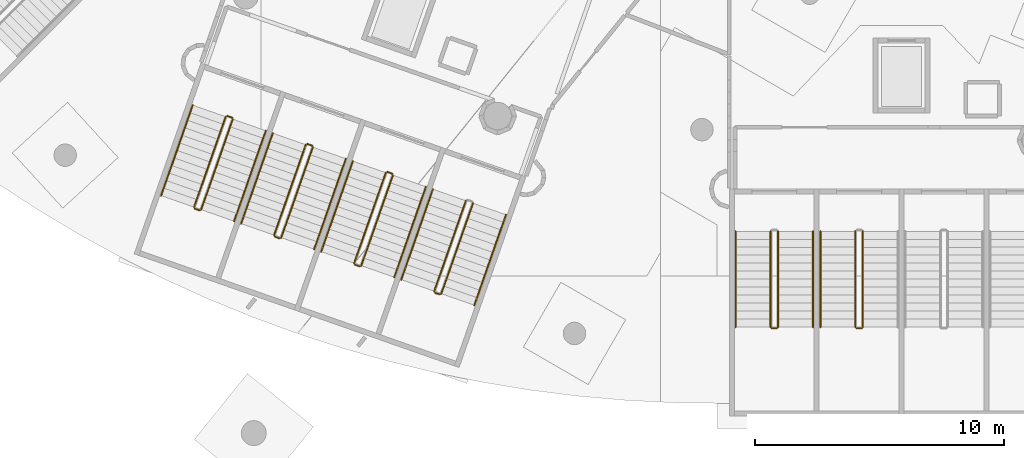
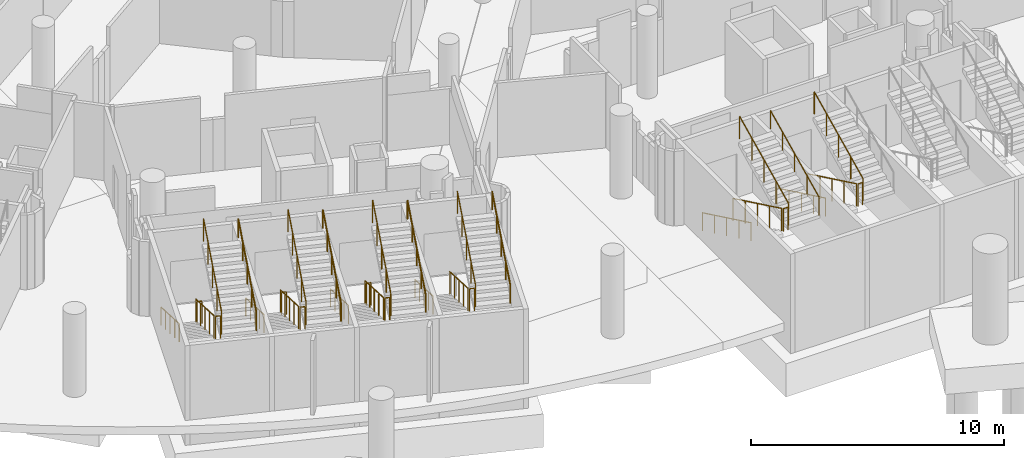
# One storey, part 111 of 142: 32 railings.
"""IFC4 building model written with IfcOpenShell, lengths in metres."""

from ifc_helpers import new_model, si_unit, direction, frame, origin, origin_2d, place, context, subcontext, project, spatial, circle, extrude, material, type_object, element, save


model = new_model("IFC4")

# Units and contexts
model_context = context("Model", 3, precision=1e-05, world=origin(), true_north=direction((0.0, 1.0)))
body_context = subcontext(model_context, "Body", "Model", "MODEL_VIEW")
ifc_project = project(units=[si_unit("LENGTHUNIT", "METRE"), si_unit("AREAUNIT", "SQUARE_METRE"), si_unit("VOLUMEUNIT", "CUBIC_METRE"), si_unit("PLANEANGLEUNIT", "RADIAN"), si_unit("MASSUNIT", "GRAM", prefix="KILO")], contexts=[model_context])

# Site, building, storey
site_placement = place(None, origin())
site = spatial("IfcSite", under=ifc_project, at=site_placement, CompositionType="ELEMENT")
building_placement = place(site_placement, origin())
building = spatial("IfcBuilding", under=site, at=building_placement, Name="Meseta Stadium", CompositionType="ELEMENT")
storey_placement = place(building_placement, frame((0.0, 0.0, -4.0)))
storey = spatial("IfcBuildingStorey", under=building, at=storey_placement, Name="B1", CompositionType="ELEMENT", Elevation=-4.0)

# Railings
ifc_material_1 = material(Name="Steel S355", Category="steel")
railing_type_1 = type_object("IfcRailingType", Name="Stair guard 1100", PredefinedType="GUARDRAIL", material=ifc_material_1)
railing_1_placement = place(storey_placement, frame((-65.421630859375, -89.608154296875, 0.15380859375)))
element("IfcRailing", 1, at=railing_1_placement, inside=storey, type_object=railing_type_1, Name="ST85 B1 guard 1", PredefinedType="GUARDRAIL", context=body_context, shape_type="SweptSolid", body=[
    extrude(circle(Radius=0.02392578125, at=origin_2d()), frame((0.0, 0.0, 1.076171875), z_axis=(-0.29767201574, -0.85067155836, 0.433300439467), x_axis=(0.9438801606, -0.330288120323, 0.0)), (0.0, 0.0, 1.0), 4.2607421875),
    extrude(circle(Radius=0.02099609375, at=origin_2d()), origin(), (0.0, 0.0, 1.0), 1.052001953125),
    extrude(circle(Radius=0.02099609375, at=origin_2d()), frame((-0.317138671875, -0.90625, 0.46142578125)), (0.0, 0.0, 1.0), 1.052001953125),
    extrude(circle(Radius=0.02099609375, at=origin_2d()), frame((-0.63427734375, -1.812255859375, 0.923095703125)), (0.0, 0.0, 1.0), 1.052001953125),
    extrude(circle(Radius=0.02099609375, at=origin_2d()), frame((-0.951171875, -2.71826171875, 1.384765625)), (0.0, 0.0, 1.0), 1.052001953125),
    extrude(circle(Radius=0.02099609375, at=origin_2d()), frame((-1.268310546875, -3.62451171875, 1.84619140625)), (0.0, 0.0, 1.0), 1.052001953125),
])
railing_2_placement = place(storey_placement, frame((-66.6591796875, -93.29638671875, 2.0)))
element("IfcRailing", 2, at=railing_2_placement, inside=storey, type_object=railing_type_1, Name="ST85 B1 guard 2", PredefinedType="GUARDRAIL", context=body_context, shape_type="SweptSolid", body=[
    extrude(circle(Radius=0.02392578125, at=origin_2d()), frame((0.0, 0.0, 1.076171875), z_axis=(0.944067610699, -0.329751946816, 0.0), x_axis=(0.329751946816, 0.944067610699, 0.0)), (0.0, 0.0, 1.0), 0.199951171875),
    extrude(circle(Radius=0.02099609375, at=origin_2d()), origin(), (0.0, 0.0, 1.0), 1.052001953125),
    extrude(circle(Radius=0.02099609375, at=origin_2d()), frame((0.188720703125, -0.06591796875, 0.0)), (0.0, 0.0, 1.0), 1.052001953125),
])
railing_3_placement = place(storey_placement, frame((-66.40673828125, -93.331787109375, 2.15380859375)))
element("IfcRailing", 3, at=railing_3_placement, inside=storey, type_object=railing_type_1, Name="ST85 B1 guard 3", PredefinedType="GUARDRAIL", context=body_context, shape_type="SweptSolid", body=[
    extrude(circle(Radius=0.02392578125, at=origin_2d()), frame((0.0, 0.0, 1.076171875), z_axis=(0.29767201574, 0.85067155836, 0.433300439467), x_axis=(-0.9438801606, 0.330288120323, 0.0)), (0.0, 0.0, 1.0), 4.2607421875),
    extrude(circle(Radius=0.02099609375, at=origin_2d()), origin(), (0.0, 0.0, 1.0), 1.052001953125),
    extrude(circle(Radius=0.02099609375, at=origin_2d()), frame((0.317138671875, 0.90625, 0.46142578125)), (0.0, 0.0, 1.0), 1.052001953125),
    extrude(circle(Radius=0.02099609375, at=origin_2d()), frame((0.63427734375, 1.812255859375, 0.923095703125)), (0.0, 0.0, 1.0), 1.052001953125),
    extrude(circle(Radius=0.02099609375, at=origin_2d()), frame((0.951171875, 2.71826171875, 1.384765625)), (0.0, 0.0, 1.0), 1.052001953125),
    extrude(circle(Radius=0.02099609375, at=origin_2d()), frame((1.268310546875, 3.62451171875, 1.84619140625)), (0.0, 0.0, 1.0), 1.052001953125),
])
railing_4_placement = place(storey_placement, frame((-65.35791015625, -89.577392578125, 0.0)))
element("IfcRailing", 4, at=railing_4_placement, inside=storey, type_object=railing_type_1, Name="ST85 B1 guard 4", PredefinedType="GUARDRAIL", context=body_context, shape_type="SweptSolid", body=[
    extrude(circle(Radius=0.02392578125, at=origin_2d()), frame((0.0, 0.0, 1.076171875), z_axis=(0.943686935281, -0.330839792317, 0.0), x_axis=(0.330839792317, 0.943686935281, 0.0)), (0.0, 0.0, 1.0), 0.199951171875),
    extrude(circle(Radius=0.02099609375, at=origin_2d()), origin(), (0.0, 0.0, 1.0), 1.052001953125),
    extrude(circle(Radius=0.02099609375, at=origin_2d()), frame((0.188720703125, -0.066162109375, 0.0)), (0.0, 0.0, 1.0), 1.052001953125),
])
railing_5_placement = place(storey_placement, frame((-62.21240234375, -90.73095703125, 0.15380859375)))
element("IfcRailing", 5, at=railing_5_placement, inside=storey, type_object=railing_type_1, Name="ST86 B1 guard 1", PredefinedType="GUARDRAIL", context=body_context, shape_type="SweptSolid", body=[
    extrude(circle(Radius=0.02392578125, at=origin_2d()), frame((0.0, 0.0, 1.076171875), z_axis=(-0.29767201574, -0.85067155836, 0.433300439467), x_axis=(0.9438801606, -0.330288120323, 0.0)), (0.0, 0.0, 1.0), 4.2607421875),
    extrude(circle(Radius=0.02099609375, at=origin_2d()), origin(), (0.0, 0.0, 1.0), 1.052001953125),
    extrude(circle(Radius=0.02099609375, at=origin_2d()), frame((-0.317138671875, -0.90625, 0.46142578125)), (0.0, 0.0, 1.0), 1.052001953125),
    extrude(circle(Radius=0.02099609375, at=origin_2d()), frame((-0.63427734375, -1.812255859375, 0.923095703125)), (0.0, 0.0, 1.0), 1.052001953125),
    extrude(circle(Radius=0.02099609375, at=origin_2d()), frame((-0.951171875, -2.71826171875, 1.384765625)), (0.0, 0.0, 1.0), 1.052001953125),
    extrude(circle(Radius=0.02099609375, at=origin_2d()), frame((-1.268310546875, -3.62451171875, 1.84619140625)), (0.0, 0.0, 1.0), 1.052001953125),
])
railing_6_placement = place(storey_placement, frame((-63.449951171875, -94.419189453125, 2.0)))
element("IfcRailing", 6, at=railing_6_placement, inside=storey, type_object=railing_type_1, Name="ST86 B1 guard 2", PredefinedType="GUARDRAIL", context=body_context, shape_type="SweptSolid", body=[
    extrude(circle(Radius=0.02392578125, at=origin_2d()), frame((0.0, 0.0, 1.076171875), z_axis=(0.943686935281, -0.330839792317, 0.0), x_axis=(0.330839792317, 0.943686935281, 0.0)), (0.0, 0.0, 1.0), 0.199951171875),
    extrude(circle(Radius=0.02099609375, at=origin_2d()), origin(), (0.0, 0.0, 1.0), 1.052001953125),
    extrude(circle(Radius=0.02099609375, at=origin_2d()), frame((0.188720703125, -0.066162109375, 0.0)), (0.0, 0.0, 1.0), 1.052001953125),
])
railing_7_placement = place(storey_placement, frame((-63.197509765625, -94.45458984375, 2.15380859375)))
element("IfcRailing", 7, at=railing_7_placement, inside=storey, type_object=railing_type_1, Name="ST86 B1 guard 3", PredefinedType="GUARDRAIL", context=body_context, shape_type="SweptSolid", body=[
    extrude(circle(Radius=0.02392578125, at=origin_2d()), frame((0.0, 0.0, 1.076171875), z_axis=(0.29767201574, 0.85067155836, 0.433300439467), x_axis=(-0.9438801606, 0.330288120323, 0.0)), (0.0, 0.0, 1.0), 4.2607421875),
    extrude(circle(Radius=0.02099609375, at=origin_2d()), origin(), (0.0, 0.0, 1.0), 1.052001953125),
    extrude(circle(Radius=0.02099609375, at=origin_2d()), frame((0.317138671875, 0.90625, 0.46142578125)), (0.0, 0.0, 1.0), 1.052001953125),
    extrude(circle(Radius=0.02099609375, at=origin_2d()), frame((0.63427734375, 1.812255859375, 0.923095703125)), (0.0, 0.0, 1.0), 1.052001953125),
    extrude(circle(Radius=0.02099609375, at=origin_2d()), frame((0.951171875, 2.71826171875, 1.384765625)), (0.0, 0.0, 1.0), 1.052001953125),
    extrude(circle(Radius=0.02099609375, at=origin_2d()), frame((1.268310546875, 3.62451171875, 1.84619140625)), (0.0, 0.0, 1.0), 1.052001953125),
])
railing_8_placement = place(storey_placement, frame((-62.148681640625, -90.700439453125, 0.0)))
element("IfcRailing", 8, at=railing_8_placement, inside=storey, type_object=railing_type_1, Name="ST86 B1 guard 4", PredefinedType="GUARDRAIL", context=body_context, shape_type="SweptSolid", body=[
    extrude(circle(Radius=0.02392578125, at=origin_2d()), frame((0.0, 0.0, 1.076171875), z_axis=(0.944067610699, -0.329751946816, 0.0), x_axis=(0.329751946816, 0.944067610699, 0.0)), (0.0, 0.0, 1.0), 0.199951171875),
    extrude(circle(Radius=0.02099609375, at=origin_2d()), origin(), (0.0, 0.0, 1.0), 1.052001953125),
    extrude(circle(Radius=0.02099609375, at=origin_2d()), frame((0.188720703125, -0.06591796875, 0.0)), (0.0, 0.0, 1.0), 1.052001953125),
])
railing_9_placement = place(storey_placement, frame((-59.003173828125, -91.85400390625, 0.15380859375)))
element("IfcRailing", 9, at=railing_9_placement, inside=storey, type_object=railing_type_1, Name="ST87 B1 guard 1", PredefinedType="GUARDRAIL", context=body_context, shape_type="SweptSolid", body=[
    extrude(circle(Radius=0.02392578125, at=origin_2d()), frame((0.0, 0.0, 1.076171875), z_axis=(-0.29767201574, -0.85067155836, 0.433300439467), x_axis=(0.9438801606, -0.330288120323, 0.0)), (0.0, 0.0, 1.0), 4.2607421875),
    extrude(circle(Radius=0.02099609375, at=origin_2d()), origin(), (0.0, 0.0, 1.0), 1.052001953125),
    extrude(circle(Radius=0.02099609375, at=origin_2d()), frame((-0.317138671875, -0.90625, 0.46142578125)), (0.0, 0.0, 1.0), 1.052001953125),
    extrude(circle(Radius=0.02099609375, at=origin_2d()), frame((-0.63427734375, -1.812255859375, 0.923095703125)), (0.0, 0.0, 1.0), 1.052001953125),
    extrude(circle(Radius=0.02099609375, at=origin_2d()), frame((-0.951171875, -2.71826171875, 1.384765625)), (0.0, 0.0, 1.0), 1.052001953125),
    extrude(circle(Radius=0.02099609375, at=origin_2d()), frame((-1.268310546875, -3.62451171875, 1.84619140625)), (0.0, 0.0, 1.0), 1.052001953125),
])
railing_10_placement = place(storey_placement, frame((-60.24072265625, -95.542236328125, 2.0)))
element("IfcRailing", 10, at=railing_10_placement, inside=storey, type_object=railing_type_1, Name="ST87 B1 guard 2", PredefinedType="GUARDRAIL", context=body_context, shape_type="SweptSolid", body=[
    extrude(circle(Radius=0.02392578125, at=origin_2d()), frame((0.0, 0.0, 1.076171875), z_axis=(0.943686935281, -0.330839792317, 0.0), x_axis=(0.330839792317, 0.943686935281, 0.0)), (0.0, 0.0, 1.0), 0.199951171875),
    extrude(circle(Radius=0.02099609375, at=origin_2d()), origin(), (0.0, 0.0, 1.0), 1.052001953125),
    extrude(circle(Radius=0.02099609375, at=origin_2d()), frame((0.188720703125, -0.066162109375, 0.0)), (0.0, 0.0, 1.0), 1.052001953125),
])
railing_11_placement = place(storey_placement, frame((-59.98828125, -95.57763671875, 2.15380859375)))
element("IfcRailing", 11, at=railing_11_placement, inside=storey, type_object=railing_type_1, Name="ST87 B1 guard 3", PredefinedType="GUARDRAIL", context=body_context, shape_type="SweptSolid", body=[
    extrude(circle(Radius=0.02392578125, at=origin_2d()), frame((0.0, 0.0, 1.076171875), z_axis=(0.29767201574, 0.85067155836, 0.433300439467), x_axis=(-0.9438801606, 0.330288120323, 0.0)), (0.0, 0.0, 1.0), 4.2607421875),
    extrude(circle(Radius=0.02099609375, at=origin_2d()), origin(), (0.0, 0.0, 1.0), 1.052001953125),
    extrude(circle(Radius=0.02099609375, at=origin_2d()), frame((0.317138671875, 0.90625, 0.46142578125)), (0.0, 0.0, 1.0), 1.052001953125),
    extrude(circle(Radius=0.02099609375, at=origin_2d()), frame((0.63427734375, 1.812255859375, 0.923095703125)), (0.0, 0.0, 1.0), 1.052001953125),
    extrude(circle(Radius=0.02099609375, at=origin_2d()), frame((0.951171875, 2.71826171875, 1.384765625)), (0.0, 0.0, 1.0), 1.052001953125),
    extrude(circle(Radius=0.02099609375, at=origin_2d()), frame((1.268310546875, 3.62451171875, 1.84619140625)), (0.0, 0.0, 1.0), 1.052001953125),
])
railing_12_placement = place(storey_placement, frame((-58.939453125, -91.8232421875, 0.0)))
element("IfcRailing", 12, at=railing_12_placement, inside=storey, type_object=railing_type_1, Name="ST87 B1 guard 4", PredefinedType="GUARDRAIL", context=body_context, shape_type="SweptSolid", body=[
    extrude(circle(Radius=0.02392578125, at=origin_2d()), frame((0.0, 0.0, 1.076171875), z_axis=(0.943686935281, -0.330839792317, 0.0), x_axis=(0.330839792317, 0.943686935281, 0.0)), (0.0, 0.0, 1.0), 0.199951171875),
    extrude(circle(Radius=0.02099609375, at=origin_2d()), origin(), (0.0, 0.0, 1.0), 1.052001953125),
    extrude(circle(Radius=0.02099609375, at=origin_2d()), frame((0.188720703125, -0.066162109375, 0.0)), (0.0, 0.0, 1.0), 1.052001953125),
])
railing_13_placement = place(storey_placement, frame((-55.7939453125, -92.97705078125, 0.15380859375)))
element("IfcRailing", 13, at=railing_13_placement, inside=storey, type_object=railing_type_1, Name="ST88 B1 guard 1", PredefinedType="GUARDRAIL", context=body_context, shape_type="SweptSolid", body=[
    extrude(circle(Radius=0.02392578125, at=origin_2d()), frame((0.0, 0.0, 1.076171875), z_axis=(-0.29767201574, -0.85067155836, 0.433300439467), x_axis=(0.9438801606, -0.330288120323, 0.0)), (0.0, 0.0, 1.0), 4.2607421875),
    extrude(circle(Radius=0.02099609375, at=origin_2d()), origin(), (0.0, 0.0, 1.0), 1.052001953125),
    extrude(circle(Radius=0.02099609375, at=origin_2d()), frame((-0.317138671875, -0.90625, 0.46142578125)), (0.0, 0.0, 1.0), 1.052001953125),
    extrude(circle(Radius=0.02099609375, at=origin_2d()), frame((-0.63427734375, -1.812255859375, 0.923095703125)), (0.0, 0.0, 1.0), 1.052001953125),
    extrude(circle(Radius=0.02099609375, at=origin_2d()), frame((-0.951171875, -2.71826171875, 1.384765625)), (0.0, 0.0, 1.0), 1.052001953125),
    extrude(circle(Radius=0.02099609375, at=origin_2d()), frame((-1.268310546875, -3.62451171875, 1.84619140625)), (0.0, 0.0, 1.0), 1.052001953125),
])
railing_14_placement = place(storey_placement, frame((-57.031494140625, -96.665283203125, 2.0)))
element("IfcRailing", 14, at=railing_14_placement, inside=storey, type_object=railing_type_1, Name="ST88 B1 guard 2", PredefinedType="GUARDRAIL", context=body_context, shape_type="SweptSolid", body=[
    extrude(circle(Radius=0.02392578125, at=origin_2d()), frame((0.0, 0.0, 1.076171875), z_axis=(0.944067610699, -0.329751946816, 0.0), x_axis=(0.329751946816, 0.944067610699, 0.0)), (0.0, 0.0, 1.0), 0.199951171875),
    extrude(circle(Radius=0.02099609375, at=origin_2d()), origin(), (0.0, 0.0, 1.0), 1.052001953125),
    extrude(circle(Radius=0.02099609375, at=origin_2d()), frame((0.188720703125, -0.06591796875, 0.0)), (0.0, 0.0, 1.0), 1.052001953125),
])
railing_15_placement = place(storey_placement, frame((-56.779052734375, -96.70068359375, 2.15380859375)))
element("IfcRailing", 15, at=railing_15_placement, inside=storey, type_object=railing_type_1, Name="ST88 B1 guard 3", PredefinedType="GUARDRAIL", context=body_context, shape_type="SweptSolid", body=[
    extrude(circle(Radius=0.02392578125, at=origin_2d()), frame((0.0, 0.0, 1.076171875), z_axis=(0.29767201574, 0.85067155836, 0.433300439467), x_axis=(-0.9438801606, 0.330288120323, 0.0)), (0.0, 0.0, 1.0), 4.2607421875),
    extrude(circle(Radius=0.02099609375, at=origin_2d()), origin(), (0.0, 0.0, 1.0), 1.052001953125),
    extrude(circle(Radius=0.02099609375, at=origin_2d()), frame((0.317138671875, 0.90625, 0.46142578125)), (0.0, 0.0, 1.0), 1.052001953125),
    extrude(circle(Radius=0.02099609375, at=origin_2d()), frame((0.63427734375, 1.812255859375, 0.923095703125)), (0.0, 0.0, 1.0), 1.052001953125),
    extrude(circle(Radius=0.02099609375, at=origin_2d()), frame((0.951171875, 2.71826171875, 1.384765625)), (0.0, 0.0, 1.0), 1.052001953125),
    extrude(circle(Radius=0.02099609375, at=origin_2d()), frame((1.268310546875, 3.62451171875, 1.84619140625)), (0.0, 0.0, 1.0), 1.052001953125),
])
railing_16_placement = place(storey_placement, frame((-43.583251953125, -94.199951171875, 0.15380859375)))
element("IfcRailing", 16, at=railing_16_placement, inside=storey, type_object=railing_type_1, Name="ST89 B1 guard 1", PredefinedType="GUARDRAIL", context=body_context, shape_type="SweptSolid", body=[
    extrude(circle(Radius=0.02392578125, at=origin_2d()), frame((0.0, 0.0, 1.076171875), z_axis=(0.0, -0.901252854825, 0.433293539843), x_axis=(1.0, 0.0, 0.0)), (0.0, 0.0, 1.0), 4.2607421875),
    extrude(circle(Radius=0.02099609375, at=origin_2d()), origin(), (0.0, 0.0, 1.0), 1.052001953125),
    extrude(circle(Radius=0.02099609375, at=origin_2d()), frame((0.0, -0.9599609375, 0.46142578125)), (0.0, 0.0, 1.0), 1.052001953125),
    extrude(circle(Radius=0.02099609375, at=origin_2d()), frame((0.0, -1.919921875, 0.923095703125)), (0.0, 0.0, 1.0), 1.052001953125),
    extrude(circle(Radius=0.02099609375, at=origin_2d()), frame((0.0, -2.880126953125, 1.384765625)), (0.0, 0.0, 1.0), 1.052001953125),
    extrude(circle(Radius=0.02099609375, at=origin_2d()), frame((0.0, -3.840087890625, 1.84619140625)), (0.0, 0.0, 1.0), 1.052001953125),
])
railing_17_placement = place(storey_placement, frame((-43.533447265625, -98.090087890625, 2.0)))
element("IfcRailing", 17, at=railing_17_placement, inside=storey, type_object=railing_type_1, Name="ST89 B1 guard 2", PredefinedType="GUARDRAIL", context=body_context, shape_type="SweptSolid", body=[
    extrude(circle(Radius=0.02392578125, at=origin_2d()), frame((0.0, 0.0, 1.076171875), z_axis=(1.0, 0.0, 0.0), x_axis=(0.0, 1.0, 0.0)), (0.0, 0.0, 1.0), 0.2001953125),
    extrude(circle(Radius=0.02099609375, at=origin_2d()), origin(), (0.0, 0.0, 1.0), 1.052001953125),
    extrude(circle(Radius=0.02099609375, at=origin_2d()), frame((0.2001953125, 0.0, 0.0)), (0.0, 0.0, 1.0), 1.052001953125),
])
railing_18_placement = place(storey_placement, frame((-43.283447265625, -98.0400390625, 2.15380859375)))
element("IfcRailing", 18, at=railing_18_placement, inside=storey, type_object=railing_type_1, Name="ST89 B1 guard 3", PredefinedType="GUARDRAIL", context=body_context, shape_type="SweptSolid", body=[
    extrude(circle(Radius=0.02392578125, at=origin_2d()), frame((0.0, 0.0, 1.076171875), z_axis=(0.0, 0.901252854825, 0.433293539843), x_axis=(-1.0, 0.0, 0.0)), (0.0, 0.0, 1.0), 4.2607421875),
    extrude(circle(Radius=0.02099609375, at=origin_2d()), origin(), (0.0, 0.0, 1.0), 1.052001953125),
    extrude(circle(Radius=0.02099609375, at=origin_2d()), frame((0.0, 0.9599609375, 0.46142578125)), (0.0, 0.0, 1.0), 1.052001953125),
    extrude(circle(Radius=0.02099609375, at=origin_2d()), frame((0.0, 1.919921875, 0.923095703125)), (0.0, 0.0, 1.0), 1.052001953125),
    extrude(circle(Radius=0.02099609375, at=origin_2d()), frame((0.0, 2.880126953125, 1.384765625)), (0.0, 0.0, 1.0), 1.052001953125),
    extrude(circle(Radius=0.02099609375, at=origin_2d()), frame((0.0, 3.840087890625, 1.84619140625)), (0.0, 0.0, 1.0), 1.052001953125),
])
railing_19_placement = place(storey_placement, frame((-40.183349609375, -94.199951171875, 0.15380859375)))
element("IfcRailing", 19, at=railing_19_placement, inside=storey, type_object=railing_type_1, Name="ST90 B1 guard 1", PredefinedType="GUARDRAIL", context=body_context, shape_type="SweptSolid", body=[
    extrude(circle(Radius=0.02392578125, at=origin_2d()), frame((0.0, 0.0, 1.076171875), z_axis=(0.0, -0.901252854825, 0.433293539843), x_axis=(1.0, 0.0, 0.0)), (0.0, 0.0, 1.0), 4.2607421875),
    extrude(circle(Radius=0.02099609375, at=origin_2d()), origin(), (0.0, 0.0, 1.0), 1.052001953125),
    extrude(circle(Radius=0.02099609375, at=origin_2d()), frame((0.0, -0.9599609375, 0.46142578125)), (0.0, 0.0, 1.0), 1.052001953125),
    extrude(circle(Radius=0.02099609375, at=origin_2d()), frame((0.0, -1.919921875, 0.923095703125)), (0.0, 0.0, 1.0), 1.052001953125),
    extrude(circle(Radius=0.02099609375, at=origin_2d()), frame((0.0, -2.880126953125, 1.384765625)), (0.0, 0.0, 1.0), 1.052001953125),
    extrude(circle(Radius=0.02099609375, at=origin_2d()), frame((0.0, -3.840087890625, 1.84619140625)), (0.0, 0.0, 1.0), 1.052001953125),
])
railing_20_placement = place(storey_placement, frame((-40.13330078125, -98.090087890625, 2.0)))
element("IfcRailing", 20, at=railing_20_placement, inside=storey, type_object=railing_type_1, Name="ST90 B1 guard 2", PredefinedType="GUARDRAIL", context=body_context, shape_type="SweptSolid", body=[
    extrude(circle(Radius=0.02392578125, at=origin_2d()), frame((0.0, 0.0, 1.076171875), z_axis=(1.0, 0.0, 0.0), x_axis=(0.0, 1.0, 0.0)), (0.0, 0.0, 1.0), 0.199951171875),
    extrude(circle(Radius=0.02099609375, at=origin_2d()), origin(), (0.0, 0.0, 1.0), 1.052001953125),
    extrude(circle(Radius=0.02099609375, at=origin_2d()), frame((0.199951171875, 0.0, 0.0)), (0.0, 0.0, 1.0), 1.052001953125),
])
railing_21_placement = place(storey_placement, frame((-39.88330078125, -98.0400390625, 2.15380859375)))
element("IfcRailing", 21, at=railing_21_placement, inside=storey, type_object=railing_type_1, Name="ST90 B1 guard 3", PredefinedType="GUARDRAIL", context=body_context, shape_type="SweptSolid", body=[
    extrude(circle(Radius=0.02392578125, at=origin_2d()), frame((0.0, 0.0, 1.076171875), z_axis=(0.0, 0.901252854825, 0.433293539843), x_axis=(-1.0, 0.0, 0.0)), (0.0, 0.0, 1.0), 4.2607421875),
    extrude(circle(Radius=0.02099609375, at=origin_2d()), origin(), (0.0, 0.0, 1.0), 1.052001953125),
    extrude(circle(Radius=0.02099609375, at=origin_2d()), frame((0.0, 0.9599609375, 0.46142578125)), (0.0, 0.0, 1.0), 1.052001953125),
    extrude(circle(Radius=0.02099609375, at=origin_2d()), frame((0.0, 1.919921875, 0.923095703125)), (0.0, 0.0, 1.0), 1.052001953125),
    extrude(circle(Radius=0.02099609375, at=origin_2d()), frame((0.0, 2.880126953125, 1.384765625)), (0.0, 0.0, 1.0), 1.052001953125),
    extrude(circle(Radius=0.02099609375, at=origin_2d()), frame((0.0, 3.840087890625, 1.84619140625)), (0.0, 0.0, 1.0), 1.052001953125),
])
ifc_material_2 = material(Name="Steel S355", Category="steel")
railing_type_2 = type_object("IfcRailingType", Name="Stair handrail 900", PredefinedType="HANDRAIL", material=ifc_material_2)
railing_22_placement = place(storey_placement, frame((-66.7431640625, -89.145751953125, 0.15380859375)))
element("IfcRailing", 22, at=railing_22_placement, inside=storey, type_object=railing_type_2, Name="ST85 B1 handrail 1", PredefinedType="HANDRAIL", context=body_context, shape_type="SweptSolid", body=[
    extrude(circle(Radius=0.02392578125, at=origin_2d()), frame((0.0, 0.0, 0.8759765625), z_axis=(-0.297619791939, -0.850686066833, 0.433307829543), x_axis=(0.943899979935, -0.330231476208, 0.0)), (0.0, 0.0, 1.0), 4.2607421875),
    extrude(circle(Radius=0.02099609375, at=origin_2d()), origin(), (0.0, 0.0, 1.0), 0.851806640625),
    extrude(circle(Radius=0.02099609375, at=origin_2d()), frame((-0.31689453125, -0.90625, 0.46142578125)), (0.0, 0.0, 1.0), 0.851806640625),
    extrude(circle(Radius=0.02099609375, at=origin_2d()), frame((-0.634033203125, -1.812255859375, 0.923095703125)), (0.0, 0.0, 1.0), 0.851806640625),
    extrude(circle(Radius=0.02099609375, at=origin_2d()), frame((-0.951171875, -2.71826171875, 1.384765625)), (0.0, 0.0, 1.0), 0.851806640625),
    extrude(circle(Radius=0.02099609375, at=origin_2d()), frame((-1.26806640625, -3.62451171875, 1.84619140625)), (0.0, 0.0, 1.0), 0.851806640625),
])
railing_23_placement = place(storey_placement, frame((-65.085205078125, -93.794189453125, 2.15380859375)))
element("IfcRailing", 23, at=railing_23_placement, inside=storey, type_object=railing_type_2, Name="ST85 B1 handrail 2", PredefinedType="HANDRAIL", context=body_context, shape_type="SweptSolid", body=[
    extrude(circle(Radius=0.02392578125, at=origin_2d()), frame((0.0, 0.0, 0.8759765625), z_axis=(0.29767201574, 0.85067155836, 0.433300439467), x_axis=(-0.9438801606, 0.330288120323, 0.0)), (0.0, 0.0, 1.0), 4.2607421875),
    extrude(circle(Radius=0.02099609375, at=origin_2d()), origin(), (0.0, 0.0, 1.0), 0.851806640625),
    extrude(circle(Radius=0.02099609375, at=origin_2d()), frame((0.317138671875, 0.90625, 0.46142578125)), (0.0, 0.0, 1.0), 0.851806640625),
    extrude(circle(Radius=0.02099609375, at=origin_2d()), frame((0.63427734375, 1.812255859375, 0.923095703125)), (0.0, 0.0, 1.0), 0.851806640625),
    extrude(circle(Radius=0.02099609375, at=origin_2d()), frame((0.951171875, 2.71826171875, 1.384765625)), (0.0, 0.0, 1.0), 0.851806640625),
    extrude(circle(Radius=0.02099609375, at=origin_2d()), frame((1.268310546875, 3.62451171875, 1.84619140625)), (0.0, 0.0, 1.0), 0.851806640625),
])
railing_24_placement = place(storey_placement, frame((-63.533935546875, -90.268798828125, 0.15380859375)))
element("IfcRailing", 24, at=railing_24_placement, inside=storey, type_object=railing_type_2, Name="ST86 B1 handrail 1", PredefinedType="HANDRAIL", context=body_context, shape_type="SweptSolid", body=[
    extrude(circle(Radius=0.02392578125, at=origin_2d()), frame((0.0, 0.0, 0.8759765625), z_axis=(-0.297619791939, -0.850686066833, 0.433307829543), x_axis=(0.943899979935, -0.330231476208, 0.0)), (0.0, 0.0, 1.0), 4.2607421875),
    extrude(circle(Radius=0.02099609375, at=origin_2d()), origin(), (0.0, 0.0, 1.0), 0.851806640625),
    extrude(circle(Radius=0.02099609375, at=origin_2d()), frame((-0.31689453125, -0.90625, 0.46142578125)), (0.0, 0.0, 1.0), 0.851806640625),
    extrude(circle(Radius=0.02099609375, at=origin_2d()), frame((-0.634033203125, -1.812255859375, 0.923095703125)), (0.0, 0.0, 1.0), 0.851806640625),
    extrude(circle(Radius=0.02099609375, at=origin_2d()), frame((-0.951171875, -2.71826171875, 1.384765625)), (0.0, 0.0, 1.0), 0.851806640625),
    extrude(circle(Radius=0.02099609375, at=origin_2d()), frame((-1.26806640625, -3.62451171875, 1.84619140625)), (0.0, 0.0, 1.0), 0.851806640625),
])
railing_25_placement = place(storey_placement, frame((-61.8759765625, -94.9169921875, 2.15380859375)))
element("IfcRailing", 25, at=railing_25_placement, inside=storey, type_object=railing_type_2, Name="ST86 B1 handrail 2", PredefinedType="HANDRAIL", context=body_context, shape_type="SweptSolid", body=[
    extrude(circle(Radius=0.02392578125, at=origin_2d()), frame((0.0, 0.0, 0.8759765625), z_axis=(0.297619791939, 0.850686066833, 0.433307829543), x_axis=(-0.943899979935, 0.330231476208, 0.0)), (0.0, 0.0, 1.0), 4.2607421875),
    extrude(circle(Radius=0.02099609375, at=origin_2d()), origin(), (0.0, 0.0, 1.0), 0.851806640625),
    extrude(circle(Radius=0.02099609375, at=origin_2d()), frame((0.31689453125, 0.90625, 0.46142578125)), (0.0, 0.0, 1.0), 0.851806640625),
    extrude(circle(Radius=0.02099609375, at=origin_2d()), frame((0.634033203125, 1.812255859375, 0.923095703125)), (0.0, 0.0, 1.0), 0.851806640625),
    extrude(circle(Radius=0.02099609375, at=origin_2d()), frame((0.951171875, 2.71826171875, 1.384765625)), (0.0, 0.0, 1.0), 0.851806640625),
    extrude(circle(Radius=0.02099609375, at=origin_2d()), frame((1.26806640625, 3.62451171875, 1.84619140625)), (0.0, 0.0, 1.0), 0.851806640625),
])
railing_26_placement = place(storey_placement, frame((-60.32470703125, -91.3916015625, 0.15380859375)))
element("IfcRailing", 26, at=railing_26_placement, inside=storey, type_object=railing_type_2, Name="ST87 B1 handrail 1", PredefinedType="HANDRAIL", context=body_context, shape_type="SweptSolid", body=[
    extrude(circle(Radius=0.02392578125, at=origin_2d()), frame((0.0, 0.0, 0.8759765625), z_axis=(-0.29767201574, -0.85067155836, 0.433300439467), x_axis=(0.9438801606, -0.330288120323, 0.0)), (0.0, 0.0, 1.0), 4.2607421875),
    extrude(circle(Radius=0.02099609375, at=origin_2d()), origin(), (0.0, 0.0, 1.0), 0.851806640625),
    extrude(circle(Radius=0.02099609375, at=origin_2d()), frame((-0.317138671875, -0.90625, 0.46142578125)), (0.0, 0.0, 1.0), 0.851806640625),
    extrude(circle(Radius=0.02099609375, at=origin_2d()), frame((-0.63427734375, -1.812255859375, 0.923095703125)), (0.0, 0.0, 1.0), 0.851806640625),
    extrude(circle(Radius=0.02099609375, at=origin_2d()), frame((-0.951171875, -2.71826171875, 1.384765625)), (0.0, 0.0, 1.0), 0.851806640625),
    extrude(circle(Radius=0.02099609375, at=origin_2d()), frame((-1.268310546875, -3.62451171875, 1.84619140625)), (0.0, 0.0, 1.0), 0.851806640625),
])
railing_27_placement = place(storey_placement, frame((-58.6669921875, -96.0400390625, 2.15380859375)))
element("IfcRailing", 27, at=railing_27_placement, inside=storey, type_object=railing_type_2, Name="ST87 B1 handrail 2", PredefinedType="HANDRAIL", context=body_context, shape_type="SweptSolid", body=[
    extrude(circle(Radius=0.02392578125, at=origin_2d()), frame((0.0, 0.0, 0.8759765625), z_axis=(0.29767201574, 0.85067155836, 0.433300439467), x_axis=(-0.9438801606, 0.330288120323, 0.0)), (0.0, 0.0, 1.0), 4.2607421875),
    extrude(circle(Radius=0.02099609375, at=origin_2d()), origin(), (0.0, 0.0, 1.0), 0.851806640625),
    extrude(circle(Radius=0.02099609375, at=origin_2d()), frame((0.317138671875, 0.90625, 0.46142578125)), (0.0, 0.0, 1.0), 0.851806640625),
    extrude(circle(Radius=0.02099609375, at=origin_2d()), frame((0.63427734375, 1.812255859375, 0.923095703125)), (0.0, 0.0, 1.0), 0.851806640625),
    extrude(circle(Radius=0.02099609375, at=origin_2d()), frame((0.951171875, 2.71826171875, 1.384765625)), (0.0, 0.0, 1.0), 0.851806640625),
    extrude(circle(Radius=0.02099609375, at=origin_2d()), frame((1.268310546875, 3.62451171875, 1.84619140625)), (0.0, 0.0, 1.0), 0.851806640625),
])
railing_28_placement = place(storey_placement, frame((-57.115478515625, -92.5146484375, 0.15380859375)))
element("IfcRailing", 28, at=railing_28_placement, inside=storey, type_object=railing_type_2, Name="ST88 B1 handrail 1", PredefinedType="HANDRAIL", context=body_context, shape_type="SweptSolid", body=[
    extrude(circle(Radius=0.02392578125, at=origin_2d()), frame((0.0, 0.0, 0.8759765625), z_axis=(-0.29767201574, -0.85067155836, 0.433300439467), x_axis=(0.9438801606, -0.330288120323, 0.0)), (0.0, 0.0, 1.0), 4.2607421875),
    extrude(circle(Radius=0.02099609375, at=origin_2d()), origin(), (0.0, 0.0, 1.0), 0.851806640625),
    extrude(circle(Radius=0.02099609375, at=origin_2d()), frame((-0.317138671875, -0.90625, 0.46142578125)), (0.0, 0.0, 1.0), 0.851806640625),
    extrude(circle(Radius=0.02099609375, at=origin_2d()), frame((-0.63427734375, -1.812255859375, 0.923095703125)), (0.0, 0.0, 1.0), 0.851806640625),
    extrude(circle(Radius=0.02099609375, at=origin_2d()), frame((-0.951171875, -2.71826171875, 1.384765625)), (0.0, 0.0, 1.0), 0.851806640625),
    extrude(circle(Radius=0.02099609375, at=origin_2d()), frame((-1.268310546875, -3.62451171875, 1.84619140625)), (0.0, 0.0, 1.0), 0.851806640625),
])
railing_29_placement = place(storey_placement, frame((-55.457763671875, -97.162841796875, 2.15380859375)))
element("IfcRailing", 29, at=railing_29_placement, inside=storey, type_object=railing_type_2, Name="ST88 B1 handrail 2", PredefinedType="HANDRAIL", context=body_context, shape_type="SweptSolid", body=[
    extrude(circle(Radius=0.02392578125, at=origin_2d()), frame((0.0, 0.0, 0.8759765625), z_axis=(0.29767201574, 0.85067155836, 0.433300439467), x_axis=(-0.9438801606, 0.330288120323, 0.0)), (0.0, 0.0, 1.0), 4.2607421875),
    extrude(circle(Radius=0.02099609375, at=origin_2d()), origin(), (0.0, 0.0, 1.0), 0.851806640625),
    extrude(circle(Radius=0.02099609375, at=origin_2d()), frame((0.317138671875, 0.90625, 0.46142578125)), (0.0, 0.0, 1.0), 0.851806640625),
    extrude(circle(Radius=0.02099609375, at=origin_2d()), frame((0.63427734375, 1.812255859375, 0.923095703125)), (0.0, 0.0, 1.0), 0.851806640625),
    extrude(circle(Radius=0.02099609375, at=origin_2d()), frame((0.951171875, 2.71826171875, 1.384765625)), (0.0, 0.0, 1.0), 0.851806640625),
    extrude(circle(Radius=0.02099609375, at=origin_2d()), frame((1.268310546875, 3.62451171875, 1.84619140625)), (0.0, 0.0, 1.0), 0.851806640625),
])
railing_30_placement = place(storey_placement, frame((-44.9833984375, -94.199951171875, 0.15380859375)))
element("IfcRailing", 30, at=railing_30_placement, inside=storey, type_object=railing_type_2, Name="ST89 B1 handrail 1", PredefinedType="HANDRAIL", context=body_context, shape_type="SweptSolid", body=[
    extrude(circle(Radius=0.02392578125, at=origin_2d()), frame((0.0, 0.0, 0.8759765625), z_axis=(0.0, -0.901252854825, 0.433293539843), x_axis=(1.0, 0.0, 0.0)), (0.0, 0.0, 1.0), 4.2607421875),
    extrude(circle(Radius=0.02099609375, at=origin_2d()), origin(), (0.0, 0.0, 1.0), 0.851806640625),
    extrude(circle(Radius=0.02099609375, at=origin_2d()), frame((0.0, -0.9599609375, 0.46142578125)), (0.0, 0.0, 1.0), 0.851806640625),
    extrude(circle(Radius=0.02099609375, at=origin_2d()), frame((0.0, -1.919921875, 0.923095703125)), (0.0, 0.0, 1.0), 0.851806640625),
    extrude(circle(Radius=0.02099609375, at=origin_2d()), frame((0.0, -2.880126953125, 1.384765625)), (0.0, 0.0, 1.0), 0.851806640625),
    extrude(circle(Radius=0.02099609375, at=origin_2d()), frame((0.0, -3.840087890625, 1.84619140625)), (0.0, 0.0, 1.0), 0.851806640625),
])
railing_31_placement = place(storey_placement, frame((-41.88330078125, -98.0400390625, 2.15380859375)))
element("IfcRailing", 31, at=railing_31_placement, inside=storey, type_object=railing_type_2, Name="ST89 B1 handrail 2", PredefinedType="HANDRAIL", context=body_context, shape_type="SweptSolid", body=[
    extrude(circle(Radius=0.02392578125, at=origin_2d()), frame((0.0, 0.0, 0.8759765625), z_axis=(0.0, 0.901252854825, 0.433293539843), x_axis=(-1.0, 0.0, 0.0)), (0.0, 0.0, 1.0), 4.2607421875),
    extrude(circle(Radius=0.02099609375, at=origin_2d()), origin(), (0.0, 0.0, 1.0), 0.851806640625),
    extrude(circle(Radius=0.02099609375, at=origin_2d()), frame((0.0, 0.9599609375, 0.46142578125)), (0.0, 0.0, 1.0), 0.851806640625),
    extrude(circle(Radius=0.02099609375, at=origin_2d()), frame((0.0, 1.919921875, 0.923095703125)), (0.0, 0.0, 1.0), 0.851806640625),
    extrude(circle(Radius=0.02099609375, at=origin_2d()), frame((0.0, 2.880126953125, 1.384765625)), (0.0, 0.0, 1.0), 0.851806640625),
    extrude(circle(Radius=0.02099609375, at=origin_2d()), frame((0.0, 3.840087890625, 1.84619140625)), (0.0, 0.0, 1.0), 0.851806640625),
])
railing_32_placement = place(storey_placement, frame((-41.583251953125, -94.199951171875, 0.15380859375)))
element("IfcRailing", 32, at=railing_32_placement, inside=storey, type_object=railing_type_2, Name="ST90 B1 handrail 1", PredefinedType="HANDRAIL", context=body_context, shape_type="SweptSolid", body=[
    extrude(circle(Radius=0.02392578125, at=origin_2d()), frame((0.0, 0.0, 0.8759765625), z_axis=(0.0, -0.901252854825, 0.433293539843), x_axis=(1.0, 0.0, 0.0)), (0.0, 0.0, 1.0), 4.2607421875),
    extrude(circle(Radius=0.02099609375, at=origin_2d()), origin(), (0.0, 0.0, 1.0), 0.851806640625),
    extrude(circle(Radius=0.02099609375, at=origin_2d()), frame((0.0, -0.9599609375, 0.46142578125)), (0.0, 0.0, 1.0), 0.851806640625),
    extrude(circle(Radius=0.02099609375, at=origin_2d()), frame((0.0, -1.919921875, 0.923095703125)), (0.0, 0.0, 1.0), 0.851806640625),
    extrude(circle(Radius=0.02099609375, at=origin_2d()), frame((0.0, -2.880126953125, 1.384765625)), (0.0, 0.0, 1.0), 0.851806640625),
    extrude(circle(Radius=0.02099609375, at=origin_2d()), frame((0.0, -3.840087890625, 1.84619140625)), (0.0, 0.0, 1.0), 0.851806640625),
])

save(model, "model.ifc")
